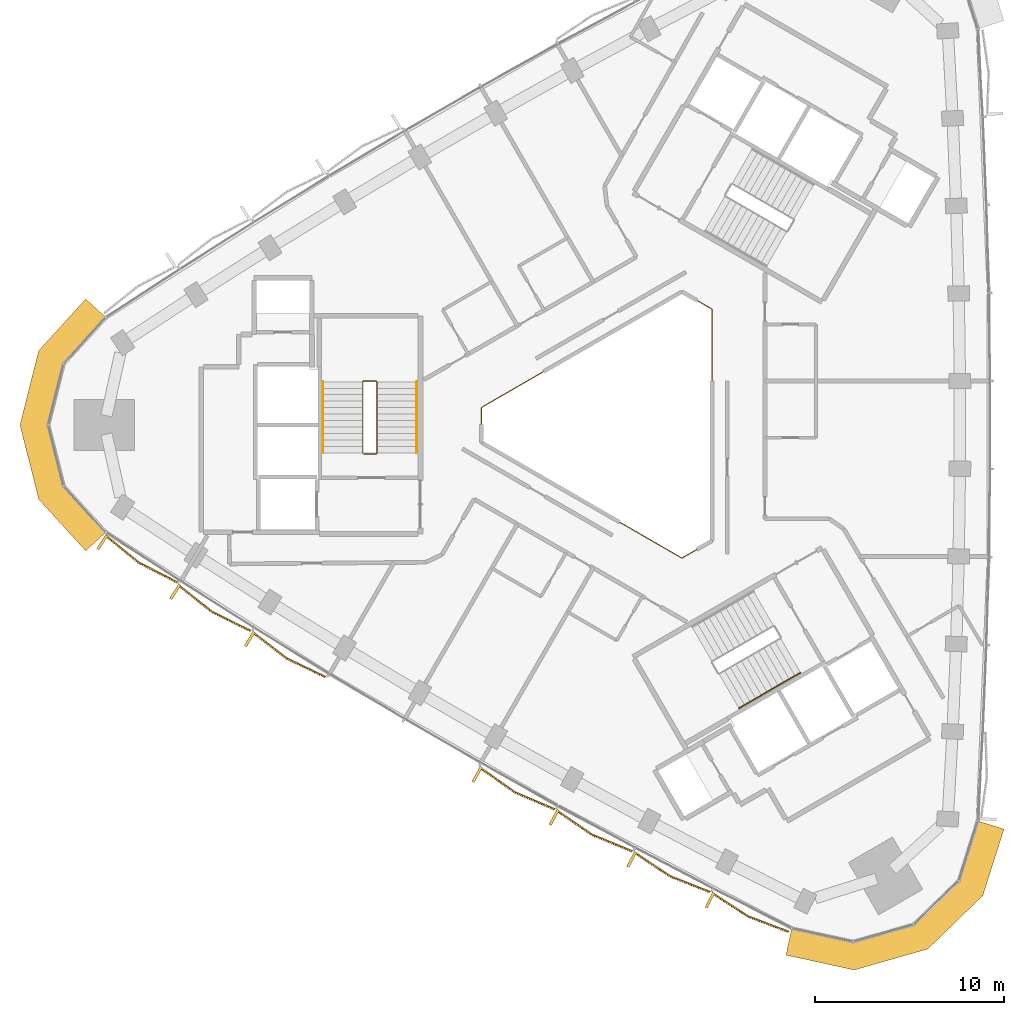
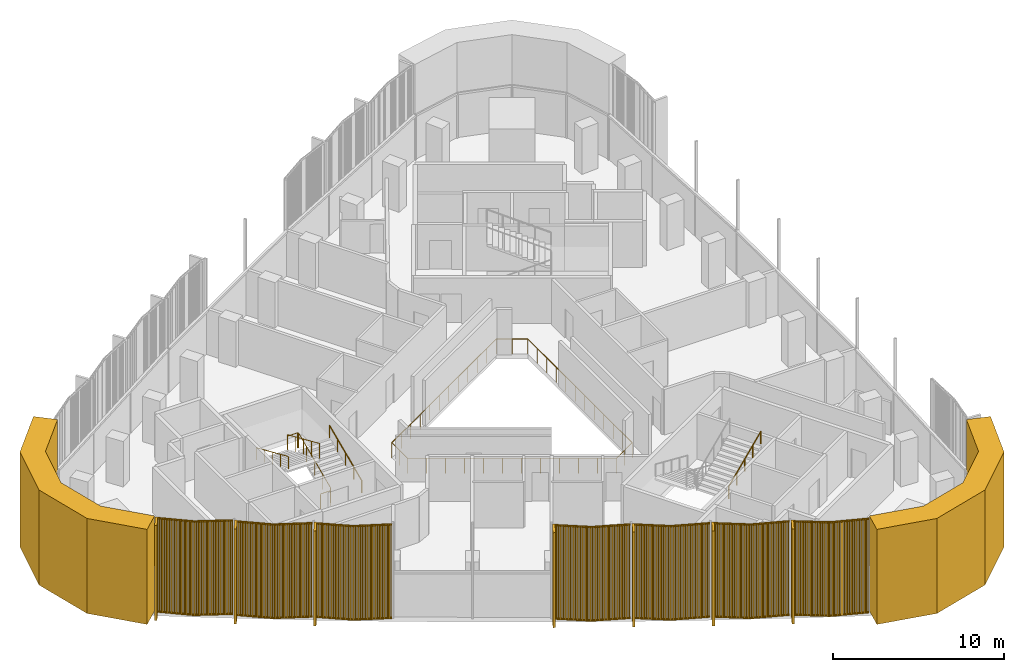
# One storey, part 11 of 13: 9 coverings, 5 railings.
"""IFC4 building model written with IfcOpenShell, lengths in metres."""

from ifc_helpers import new_model, si_unit, direction, frame, frame_2d, origin, origin_2d, place, context, subcontext, project, spatial, polyline, rectangle, circle, outline, extrude, source, transform, mapped, material, layer, layer_set, type_object, element, save


model = new_model("IFC4")

# Units and contexts
model_context = context("Model", 3, precision=1e-05, world=origin(), true_north=direction((0.0, 1.0)))
body_context = subcontext(model_context, "Body", "Model", "MODEL_VIEW")
ifc_project = project(units=[si_unit("LENGTHUNIT", "METRE"), si_unit("AREAUNIT", "SQUARE_METRE"), si_unit("VOLUMEUNIT", "CUBIC_METRE"), si_unit("PLANEANGLEUNIT", "RADIAN"), si_unit("MASSUNIT", "GRAM", prefix="KILO")], contexts=[model_context])

# Site, building, storey
site_placement = place(None, origin())
site = spatial("IfcSite", under=ifc_project, at=site_placement, CompositionType="ELEMENT")
building_placement = place(site_placement, origin())
building = spatial("IfcBuilding", under=site, at=building_placement, Name="Tamra Quay Hotel Tower", CompositionType="ELEMENT")
storey_placement = place(building_placement, frame((0.0, 0.0, 204.39990234375)))
storey = spatial("IfcBuildingStorey", under=building, at=storey_placement, Name="L51", CompositionType="ELEMENT", Elevation=204.39990234375)

# Coverings
ifc_material_1 = material(Name="Precast concrete M60 terracotta-coloured", Category="masonry")
ifc_layer = layer(ifc_material_1, 1.449951171875)
ifc_layer_set = layer_set([ifc_layer], Name="CORNER PIER PANEL")
covering_type_1 = type_object("IfcCoveringType", Name="CORNER PIER PANEL", PredefinedType="CLADDING", material=ifc_layer_set)
covering_1_placement = place(storey_placement, origin())
element("IfcCovering", 1, at=covering_1_placement, inside=storey, type_object=covering_type_1, Name="Corner pier L51.north-west", PredefinedType="CLADDING", context=body_context, shape_type="SweptSolid", body=[
    extrude(outline(polyline([(-27.48046875, 5.68701171875), (-28.55224609375, 6.663818359375), (-31.038818359375, 3.934326171875), (-32.028076171875, 0.0), (-31.038818359375, -3.934326171875), (-28.55224609375, -6.663818359375), (-27.48046875, -5.68701171875), (-29.7216796875, -3.227294921875), (-30.532958984375, 0.0), (-29.7216796875, 3.227294921875), (-27.48046875, 5.68701171875)])), origin(), (0.0, 0.0, 1.0), 6.800048828125),
])
covering_2_placement = place(storey_placement, origin())
element("IfcCovering", 2, at=covering_2_placement, inside=storey, type_object=covering_type_1, Name="Corner pier L51.south-west", PredefinedType="CLADDING", context=body_context, shape_type="SweptSolid", body=[
    extrude(outline(polyline([(8.81494140625, -26.642333984375), (8.505126953125, -28.058837890625), (12.1123046875, -28.84765625), (16.013916015625, -27.737060546875), (18.9267578125, -24.913330078125), (20.047119140625, -21.39501953125), (18.665283203125, -20.955078125), (17.65576171875, -24.1259765625), (15.2666015625, -26.4423828125), (12.06591796875, -27.353271484375), (8.81494140625, -26.642333984375)])), origin(), (0.0, 0.0, 1.0), 6.800048828125),
])

# Railings
ifc_material_2 = material(Name="Guard atrium edge 1100")
railing_type_1 = type_object("IfcRailingType", Name="Guard atrium edge 1100", PredefinedType="GUARDRAIL", material=ifc_material_2)
railing_1_placement = place(storey_placement, frame((4.60009765625, -6.1201171875, 0.0)))
element("IfcRailing", 3, at=railing_1_placement, inside=storey, type_object=railing_type_1, Name="G-A", PredefinedType="GUARDRAIL", context=body_context, shape_type="SweptSolid", body=[
    extrude(circle(Radius=0.02392578125, at=origin_2d()), frame((0.0, 0.0, 1.076171875), z_axis=(-0.86602275259, -0.500004591975, 0.0), x_axis=(0.500004591975, -0.86602275259, 0.0)), (0.0, 0.0, 1.0), 1.84765625),
    extrude(circle(Radius=0.02392578125, at=origin_2d()), frame((-1.60009765625, -0.923828125, 1.076171875), z_axis=(-0.866028806638, 0.499994106039, 0.0), x_axis=(-0.499994106039, -0.866028806638, 0.0)), (0.0, 0.0, 1.0), 12.239990234375),
    extrude(circle(Radius=0.02392578125, at=origin_2d()), frame((-12.2001953125, 5.196044921875, 1.076171875), z_axis=(0.0, 1.0, 0.0), x_axis=(-1.0, 0.0, 0.0)), (0.0, 0.0, 1.0), 1.84814453125),
    extrude(circle(Radius=0.02392578125, at=origin_2d()), frame((-12.2001953125, 7.044189453125, 1.076171875), z_axis=(0.866028806638, 0.499994106039, 0.0), x_axis=(-0.499994106039, 0.866028806638, 0.0)), (0.0, 0.0, 1.0), 12.239990234375),
    extrude(circle(Radius=0.02392578125, at=origin_2d()), frame((-1.60009765625, 13.1640625, 1.076171875), z_axis=(0.86602275259, -0.500004591975, 0.0), x_axis=(0.500004591975, 0.86602275259, 0.0)), (0.0, 0.0, 1.0), 1.84765625),
    extrude(circle(Radius=0.02392578125, at=origin_2d()), frame((0.0, 12.240234375, 1.076171875), z_axis=(0.0, -1.0, 0.0), x_axis=(1.0, 0.0, 0.0)), (0.0, 0.0, 1.0), 12.240234375),
    extrude(circle(Radius=0.02099609375, at=origin_2d()), origin(), (0.0, 0.0, 1.0), 1.052001953125),
    extrude(circle(Radius=0.02099609375, at=origin_2d()), frame((-0.800048828125, -0.4619140625, 0.0)), (0.0, 0.0, 1.0), 1.052001953125),
    extrude(circle(Radius=0.02099609375, at=origin_2d()), frame((-1.60009765625, -0.923828125, 0.0)), (0.0, 0.0, 1.0), 1.052001953125),
    extrude(circle(Radius=0.02099609375, at=origin_2d()), frame((-2.563720703125, -0.367431640625, 0.0)), (0.0, 0.0, 1.0), 1.052001953125),
    extrude(circle(Radius=0.02099609375, at=origin_2d()), frame((-3.52734375, 0.18896484375, 0.0)), (0.0, 0.0, 1.0), 1.052001953125),
    extrude(circle(Radius=0.02099609375, at=origin_2d()), frame((-4.490966796875, 0.7451171875, 0.0)), (0.0, 0.0, 1.0), 1.052001953125),
    extrude(circle(Radius=0.02099609375, at=origin_2d()), frame((-5.45458984375, 1.301513671875, 0.0)), (0.0, 0.0, 1.0), 1.052001953125),
    extrude(circle(Radius=0.02099609375, at=origin_2d()), frame((-6.418212890625, 1.85791015625, 0.0)), (0.0, 0.0, 1.0), 1.052001953125),
    extrude(circle(Radius=0.02099609375, at=origin_2d()), frame((-7.382080078125, 2.414306640625, 0.0)), (0.0, 0.0, 1.0), 1.052001953125),
    extrude(circle(Radius=0.02099609375, at=origin_2d()), frame((-8.345703125, 2.970703125, 0.0)), (0.0, 0.0, 1.0), 1.052001953125),
    extrude(circle(Radius=0.02099609375, at=origin_2d()), frame((-9.309326171875, 3.527099609375, 0.0)), (0.0, 0.0, 1.0), 1.052001953125),
    extrude(circle(Radius=0.02099609375, at=origin_2d()), frame((-10.27294921875, 4.083251953125, 0.0)), (0.0, 0.0, 1.0), 1.052001953125),
    extrude(circle(Radius=0.02099609375, at=origin_2d()), frame((-11.236572265625, 4.6396484375, 0.0)), (0.0, 0.0, 1.0), 1.052001953125),
    extrude(circle(Radius=0.02099609375, at=origin_2d()), frame((-12.2001953125, 5.196044921875, 0.0)), (0.0, 0.0, 1.0), 1.052001953125),
    extrude(circle(Radius=0.02099609375, at=origin_2d()), frame((-12.2001953125, 6.1201171875, 0.0)), (0.0, 0.0, 1.0), 1.052001953125),
    extrude(circle(Radius=0.02099609375, at=origin_2d()), frame((-12.2001953125, 7.044189453125, 0.0)), (0.0, 0.0, 1.0), 1.052001953125),
    extrude(circle(Radius=0.02099609375, at=origin_2d()), frame((-11.236572265625, 7.6005859375, 0.0)), (0.0, 0.0, 1.0), 1.052001953125),
    extrude(circle(Radius=0.02099609375, at=origin_2d()), frame((-10.27294921875, 8.156982421875, 0.0)), (0.0, 0.0, 1.0), 1.052001953125),
    extrude(circle(Radius=0.02099609375, at=origin_2d()), frame((-9.309326171875, 8.713134765625, 0.0)), (0.0, 0.0, 1.0), 1.052001953125),
    extrude(circle(Radius=0.02099609375, at=origin_2d()), frame((-8.345703125, 9.26953125, 0.0)), (0.0, 0.0, 1.0), 1.052001953125),
    extrude(circle(Radius=0.02099609375, at=origin_2d()), frame((-7.382080078125, 9.825927734375, 0.0)), (0.0, 0.0, 1.0), 1.052001953125),
    extrude(circle(Radius=0.02099609375, at=origin_2d()), frame((-6.418212890625, 10.38232421875, 0.0)), (0.0, 0.0, 1.0), 1.052001953125),
    extrude(circle(Radius=0.02099609375, at=origin_2d()), frame((-5.45458984375, 10.938720703125, 0.0)), (0.0, 0.0, 1.0), 1.052001953125),
    extrude(circle(Radius=0.02099609375, at=origin_2d()), frame((-4.490966796875, 11.4951171875, 0.0)), (0.0, 0.0, 1.0), 1.052001953125),
    extrude(circle(Radius=0.02099609375, at=origin_2d()), frame((-3.52734375, 12.05126953125, 0.0)), (0.0, 0.0, 1.0), 1.052001953125),
    extrude(circle(Radius=0.02099609375, at=origin_2d()), frame((-2.563720703125, 12.607666015625, 0.0)), (0.0, 0.0, 1.0), 1.052001953125),
    extrude(circle(Radius=0.02099609375, at=origin_2d()), frame((-1.60009765625, 13.1640625, 0.0)), (0.0, 0.0, 1.0), 1.052001953125),
    extrude(circle(Radius=0.02099609375, at=origin_2d()), frame((-0.800048828125, 12.7021484375, 0.0)), (0.0, 0.0, 1.0), 1.052001953125),
    extrude(circle(Radius=0.02099609375, at=origin_2d()), frame((0.0, 12.240234375, 0.0)), (0.0, 0.0, 1.0), 1.052001953125),
    extrude(circle(Radius=0.02099609375, at=origin_2d()), frame((0.0, 11.12744140625, 0.0)), (0.0, 0.0, 1.0), 1.052001953125),
    extrude(circle(Radius=0.02099609375, at=origin_2d()), frame((0.0, 10.0146484375, 0.0)), (0.0, 0.0, 1.0), 1.052001953125),
    extrude(circle(Radius=0.02099609375, at=origin_2d()), frame((0.0, 8.902099609375, 0.0)), (0.0, 0.0, 1.0), 1.052001953125),
    extrude(circle(Radius=0.02099609375, at=origin_2d()), frame((0.0, 7.789306640625, 0.0)), (0.0, 0.0, 1.0), 1.052001953125),
    extrude(circle(Radius=0.02099609375, at=origin_2d()), frame((0.0, 6.676513671875, 0.0)), (0.0, 0.0, 1.0), 1.052001953125),
    extrude(circle(Radius=0.02099609375, at=origin_2d()), frame((0.0, 5.563720703125, 0.0)), (0.0, 0.0, 1.0), 1.052001953125),
    extrude(circle(Radius=0.02099609375, at=origin_2d()), frame((0.0, 4.450927734375, 0.0)), (0.0, 0.0, 1.0), 1.052001953125),
    extrude(circle(Radius=0.02099609375, at=origin_2d()), frame((0.0, 3.338134765625, 0.0)), (0.0, 0.0, 1.0), 1.052001953125),
    extrude(circle(Radius=0.02099609375, at=origin_2d()), frame((0.0, 2.2255859375, 0.0)), (0.0, 0.0, 1.0), 1.052001953125),
    extrude(circle(Radius=0.02099609375, at=origin_2d()), frame((0.0, 1.11279296875, 0.0)), (0.0, 0.0, 1.0), 1.052001953125),
])
ifc_material_3 = material(Name="Stair guard 1100")
railing_type_2 = type_object("IfcRailingType", Name="Stair guard 1100", PredefinedType="GUARDRAIL", material=ifc_material_3)
railing_2_placement = place(storey_placement, frame((-13.84130859375, -1.530029296875, 0.0)))
element("IfcRailing", 4, at=railing_2_placement, inside=storey, type_object=railing_type_2, Name="GR", PredefinedType="GUARDRAIL", context=body_context, shape_type="SweptSolid", body=[
    extrude(circle(Radius=0.02392578125, at=origin_2d()), frame((0.0, 0.0, 1.076171875), z_axis=(1.0, 0.0, 0.0), x_axis=(0.0, 1.0, 0.0)), (0.0, 0.0, 1.0), 0.658935546875),
    extrude(circle(Radius=0.02392578125, at=origin_2d()), frame((0.658935546875, 0.0, 1.076171875), z_axis=(0.301511344578, 0.301511344578, 0.904534033733), x_axis=(-0.707106781187, 0.707106781187, 0.0)), (0.0, 0.0, 1.0), 0.166015625),
    extrude(circle(Radius=0.02392578125, at=origin_2d()), frame((0.708984375, 0.050048828125, 1.22607421875), z_axis=(0.0, 0.915795495799, 0.401644880304), x_axis=(-1.0, 0.0, 0.0)), (0.0, 0.0, 1.0), 4.10791015625),
    extrude(circle(Radius=0.02392578125, at=origin_2d()), frame((0.708984375, 3.81201171875, 2.8759765625), z_axis=(-0.708833529934, 0.705375805398, 0.0), x_axis=(-0.705375805398, -0.708833529934, 0.0)), (0.0, 0.0, 1.0), 0.070556640625),
    extrude(circle(Radius=0.02392578125, at=origin_2d()), frame((0.658935546875, 3.86181640625, 2.8759765625), z_axis=(-1.0, 0.0, 0.0), x_axis=(0.0, -1.0, 0.0)), (0.0, 0.0, 1.0), 0.658935546875),
    extrude(circle(Radius=0.02392578125, at=origin_2d()), frame((0.0, 3.86181640625, 2.8759765625), z_axis=(-0.301644814947, -0.300173376825, 0.904934444842), x_axis=(0.705375805398, -0.708833529934, 0.0)), (0.0, 0.0, 1.0), 0.166015625),
    extrude(circle(Radius=0.02392578125, at=origin_2d()), frame((-0.050048828125, 3.81201171875, 3.0263671875), z_axis=(0.0, -0.915795495799, 0.401644880304), x_axis=(1.0, 0.0, 0.0)), (0.0, 0.0, 1.0), 4.10791015625),
    extrude(circle(Radius=0.02099609375, at=origin_2d()), origin(), (0.0, 0.0, 1.0), 1.052001953125),
    extrude(circle(Radius=0.02099609375, at=origin_2d()), frame((0.658935546875, 0.0, 0.0)), (0.0, 0.0, 1.0), 1.052001953125),
    extrude(circle(Radius=0.02099609375, at=origin_2d()), frame((0.708984375, 0.050048828125, 0.150146484375)), (0.0, 0.0, 1.0), 1.052001953125),
    extrude(circle(Radius=0.02099609375, at=origin_2d()), frame((0.708984375, 0.990478515625, 0.5625)), (0.0, 0.0, 1.0), 1.052001953125),
    extrude(circle(Radius=0.02099609375, at=origin_2d()), frame((0.708984375, 1.93115234375, 0.97509765625)), (0.0, 0.0, 1.0), 1.052001953125),
    extrude(circle(Radius=0.02099609375, at=origin_2d()), frame((0.708984375, 2.87158203125, 1.3876953125)), (0.0, 0.0, 1.0), 1.052001953125),
    extrude(circle(Radius=0.02099609375, at=origin_2d()), frame((0.708984375, 3.81201171875, 1.800048828125)), (0.0, 0.0, 1.0), 1.052001953125),
    extrude(circle(Radius=0.02099609375, at=origin_2d()), frame((0.658935546875, 3.86181640625, 1.800048828125)), (0.0, 0.0, 1.0), 1.052001953125),
    extrude(circle(Radius=0.02099609375, at=origin_2d()), frame((0.0, 3.86181640625, 1.800048828125)), (0.0, 0.0, 1.0), 1.052001953125),
    extrude(circle(Radius=0.02099609375, at=origin_2d()), frame((-0.050048828125, 3.81201171875, 1.9501953125)), (0.0, 0.0, 1.0), 1.052001953125),
    extrude(circle(Radius=0.02099609375, at=origin_2d()), frame((-0.050048828125, 2.87158203125, 2.36279296875)), (0.0, 0.0, 1.0), 1.052001953125),
    extrude(circle(Radius=0.02099609375, at=origin_2d()), frame((-0.050048828125, 1.93115234375, 2.775146484375)), (0.0, 0.0, 1.0), 1.052001953125),
    extrude(circle(Radius=0.02099609375, at=origin_2d()), frame((-0.050048828125, 0.990478515625, 3.1875)), (0.0, 0.0, 1.0), 1.052001953125),
    extrude(circle(Radius=0.02099609375, at=origin_2d()), frame((-0.050048828125, 0.050048828125, 3.60009765625)), (0.0, 0.0, 1.0), 1.052001953125),
])
ifc_material_4 = material(Name="Stair handrail 900")
railing_type_3 = type_object("IfcRailingType", Name="Stair handrail 900", PredefinedType="HANDRAIL", material=ifc_material_4)
railing_3_placement = place(storey_placement, frame((-11.0322265625, -1.47998046875, 0.150146484375)))
element("IfcRailing", 5, at=railing_3_placement, inside=storey, type_object=railing_type_3, Name="HR", PredefinedType="HANDRAIL", context=body_context, shape_type="SweptSolid", body=[
    extrude(circle(Radius=0.02392578125, at=origin_2d()), frame((0.0, 0.0, 0.8759765625), z_axis=(0.0, 0.915795495799, 0.401644880304), x_axis=(-1.0, 0.0, 0.0)), (0.0, 0.0, 1.0), 4.10791015625),
    extrude(circle(Radius=0.02099609375, at=origin_2d()), origin(), (0.0, 0.0, 1.0), 0.851806640625),
    extrude(circle(Radius=0.02099609375, at=origin_2d()), frame((0.0, 0.9404296875, 0.41259765625)), (0.0, 0.0, 1.0), 0.851806640625),
    extrude(circle(Radius=0.02099609375, at=origin_2d()), frame((0.0, 1.880859375, 0.824951171875)), (0.0, 0.0, 1.0), 0.851806640625),
    extrude(circle(Radius=0.02099609375, at=origin_2d()), frame((0.0, 2.821533203125, 1.2373046875)), (0.0, 0.0, 1.0), 0.851806640625),
    extrude(circle(Radius=0.02099609375, at=origin_2d()), frame((0.0, 3.761962890625, 1.64990234375)), (0.0, 0.0, 1.0), 0.851806640625),
])
railing_4_placement = place(storey_placement, frame((-15.9912109375, 2.281982421875, 1.9501953125)))
element("IfcRailing", 6, at=railing_4_placement, inside=storey, type_object=railing_type_3, Name="HR", PredefinedType="HANDRAIL", context=body_context, shape_type="SweptSolid", body=[
    extrude(circle(Radius=0.02392578125, at=origin_2d()), frame((0.0, 0.0, 0.8759765625), z_axis=(0.0, -0.915795495799, 0.401644880304), x_axis=(1.0, 0.0, 0.0)), (0.0, 0.0, 1.0), 4.10791015625),
    extrude(circle(Radius=0.02099609375, at=origin_2d()), origin(), (0.0, 0.0, 1.0), 0.851806640625),
    extrude(circle(Radius=0.02099609375, at=origin_2d()), frame((0.0, -0.9404296875, 0.41259765625)), (0.0, 0.0, 1.0), 0.851806640625),
    extrude(circle(Radius=0.02099609375, at=origin_2d()), frame((0.0, -1.880859375, 0.824951171875)), (0.0, 0.0, 1.0), 0.851806640625),
    extrude(circle(Radius=0.02099609375, at=origin_2d()), frame((0.0, -2.821533203125, 1.2373046875)), (0.0, 0.0, 1.0), 0.851806640625),
    extrude(circle(Radius=0.02099609375, at=origin_2d()), frame((0.0, -3.761962890625, 1.64990234375)), (0.0, 0.0, 1.0), 0.851806640625),
])
railing_5_placement = place(storey_placement, frame((6.01953125, -14.98974609375, 1.9501953125)))
element("IfcRailing", 7, at=railing_5_placement, inside=storey, type_object=railing_type_3, Name="HR", PredefinedType="HANDRAIL", context=body_context, shape_type="SweptSolid", body=[
    extrude(circle(Radius=0.02392578125, at=origin_2d()), frame((0.0, 0.0, 0.8759765625), z_axis=(0.79310004713, 0.457886897714, 0.401661429744), x_axis=(-0.499992114976, 0.866029956157, 0.0)), (0.0, 0.0, 1.0), 4.107666015625),
    extrude(circle(Radius=0.02099609375, at=origin_2d()), origin(), (0.0, 0.0, 1.0), 0.851806640625),
    extrude(circle(Radius=0.02099609375, at=origin_2d()), frame((0.814453125, 0.47021484375, 0.41259765625)), (0.0, 0.0, 1.0), 0.851806640625),
    extrude(circle(Radius=0.02099609375, at=origin_2d()), frame((1.62890625, 0.9404296875, 0.824951171875)), (0.0, 0.0, 1.0), 0.851806640625),
    extrude(circle(Radius=0.02099609375, at=origin_2d()), frame((2.443359375, 1.41064453125, 1.2373046875)), (0.0, 0.0, 1.0), 0.851806640625),
    extrude(circle(Radius=0.02099609375, at=origin_2d()), frame((3.2578125, 1.880859375, 1.64990234375)), (0.0, 0.0, 1.0), 0.851806640625),
])

# Coverings
ifc_material_5 = material(Name="Terracotta baguette extruded", Category="masonry")
covering_type_2 = type_object("IfcCoveringType", Name="BAGUETTE SCREEN SW-V H6800", PredefinedType="USERDEFINED", material=ifc_material_5)
shared_shape = source(origin(), body_context, "Body", "SweptSolid", [
    extrude(rectangle(XDim=2.295166015625, YDim=0.06005859375, at=frame_2d((1.1474609375, 0.030029296875))), frame((-2.288818359375, -0.0576171875, -0.1201171875), z_axis=(0.0, 0.0, 1.0), x_axis=(0.994521895368, -0.104528463268, 0.0)), (0.0, 0.0, 1.0), 0.1201171875),
    extrude(rectangle(XDim=2.295166015625, YDim=0.06005859375, at=frame_2d((1.1474609375, 0.030029296875))), frame((-2.288818359375, -0.0576171875, -6.800048828125), z_axis=(0.0, 0.0, 1.0), x_axis=(0.994521895368, -0.104528463268, 0.0)), (0.0, 0.0, 1.0), 0.1201171875),
    extrude(rectangle(XDim=0.070068359375, YDim=0.10009765625, at=frame_2d((0.03515625, 0.050048828125))), frame((-2.267822265625, -0.13330078125, -6.739990234375)), (0.0, 0.0, 1.0), 6.679931640625),
    extrude(rectangle(XDim=0.070068359375, YDim=0.10009765625, at=frame_2d((0.03515625, 0.050048828125))), frame((-2.168701171875, -0.1435546875, -6.739990234375)), (0.0, 0.0, 1.0), 6.679931640625),
    extrude(rectangle(XDim=0.070068359375, YDim=0.10009765625, at=frame_2d((0.03515625, 0.050048828125))), frame((-2.0693359375, -0.154052734375, -6.739990234375)), (0.0, 0.0, 1.0), 6.679931640625),
    extrude(rectangle(XDim=0.070068359375, YDim=0.10009765625, at=frame_2d((0.03515625, 0.050048828125))), frame((-1.97021484375, -0.16455078125, -6.739990234375)), (0.0, 0.0, 1.0), 6.679931640625),
    extrude(rectangle(XDim=0.070068359375, YDim=0.10009765625, at=frame_2d((0.03515625, 0.050048828125))), frame((-1.870849609375, -0.175048828125, -6.739990234375)), (0.0, 0.0, 1.0), 6.679931640625),
    extrude(rectangle(XDim=0.070068359375, YDim=0.10009765625, at=frame_2d((0.03515625, 0.050048828125))), frame((-1.771728515625, -0.185302734375, -6.739990234375)), (0.0, 0.0, 1.0), 6.679931640625),
    extrude(rectangle(XDim=0.070068359375, YDim=0.10009765625, at=frame_2d((0.03515625, 0.050048828125))), frame((-1.67236328125, -0.19580078125, -6.739990234375)), (0.0, 0.0, 1.0), 6.679931640625),
    extrude(rectangle(XDim=0.070068359375, YDim=0.10009765625, at=frame_2d((0.03515625, 0.050048828125))), frame((-1.5732421875, -0.206298828125, -6.739990234375)), (0.0, 0.0, 1.0), 6.679931640625),
    extrude(rectangle(XDim=0.070068359375, YDim=0.10009765625, at=frame_2d((0.03515625, 0.050048828125))), frame((-1.473876953125, -0.216552734375, -6.739990234375)), (0.0, 0.0, 1.0), 6.679931640625),
    extrude(rectangle(XDim=0.070068359375, YDim=0.10009765625, at=frame_2d((0.03515625, 0.050048828125))), frame((-1.374755859375, -0.22705078125, -6.739990234375)), (0.0, 0.0, 1.0), 6.679931640625),
    extrude(rectangle(XDim=0.070068359375, YDim=0.10009765625, at=frame_2d((0.03515625, 0.050048828125))), frame((-1.275390625, -0.237548828125, -6.739990234375)), (0.0, 0.0, 1.0), 6.679931640625),
    extrude(rectangle(XDim=0.070068359375, YDim=0.10009765625, at=frame_2d((0.03515625, 0.050048828125))), frame((-1.17626953125, -0.248046875, -6.739990234375)), (0.0, 0.0, 1.0), 6.679931640625),
    extrude(rectangle(XDim=0.070068359375, YDim=0.10009765625, at=frame_2d((0.03515625, 0.050048828125))), frame((-1.076904296875, -0.25830078125, -6.739990234375)), (0.0, 0.0, 1.0), 6.679931640625),
    extrude(rectangle(XDim=0.070068359375, YDim=0.10009765625, at=frame_2d((0.03515625, 0.050048828125))), frame((-0.977783203125, -0.268798828125, -6.739990234375)), (0.0, 0.0, 1.0), 6.679931640625),
    extrude(rectangle(XDim=0.070068359375, YDim=0.10009765625, at=frame_2d((0.03515625, 0.050048828125))), frame((-0.87841796875, -0.279296875, -6.739990234375)), (0.0, 0.0, 1.0), 6.679931640625),
    extrude(rectangle(XDim=0.070068359375, YDim=0.10009765625, at=frame_2d((0.03515625, 0.050048828125))), frame((-0.779296875, -0.28955078125, -6.739990234375)), (0.0, 0.0, 1.0), 6.679931640625),
    extrude(rectangle(XDim=0.070068359375, YDim=0.10009765625, at=frame_2d((0.03515625, 0.050048828125))), frame((-0.679931640625, -0.300048828125, -6.739990234375)), (0.0, 0.0, 1.0), 6.679931640625),
    extrude(rectangle(XDim=0.070068359375, YDim=0.10009765625, at=frame_2d((0.03515625, 0.050048828125))), frame((-0.580810546875, -0.310546875, -6.739990234375)), (0.0, 0.0, 1.0), 6.679931640625),
    extrude(rectangle(XDim=0.070068359375, YDim=0.10009765625, at=frame_2d((0.03515625, 0.050048828125))), frame((-0.481689453125, -0.321044921875, -6.739990234375)), (0.0, 0.0, 1.0), 6.679931640625),
    extrude(rectangle(XDim=0.070068359375, YDim=0.10009765625, at=frame_2d((0.03515625, 0.050048828125))), frame((-0.38232421875, -0.331298828125, -6.739990234375)), (0.0, 0.0, 1.0), 6.679931640625),
    extrude(rectangle(XDim=0.070068359375, YDim=0.10009765625, at=frame_2d((0.03515625, 0.050048828125))), frame((-0.283203125, -0.341796875, -6.739990234375)), (0.0, 0.0, 1.0), 6.679931640625),
    extrude(rectangle(XDim=0.070068359375, YDim=0.10009765625, at=frame_2d((0.03515625, 0.050048828125))), frame((-0.183837890625, -0.352294921875, -6.739990234375)), (0.0, 0.0, 1.0), 6.679931640625),
    extrude(rectangle(XDim=0.070068359375, YDim=0.10009765625, at=frame_2d((0.03515625, 0.050048828125))), frame((-0.084716796875, -0.36279296875, -6.739990234375)), (0.0, 0.0, 1.0), 6.679931640625),
    extrude(rectangle(XDim=2.295166015625, YDim=0.06005859375, at=frame_2d((1.1474609375, 0.030029296875))), frame((0.00634765625, -0.297607421875, -0.1201171875), z_axis=(0.0, 0.0, 1.0), x_axis=(0.994521895368, 0.104528463268, 0.0)), (0.0, 0.0, 1.0), 0.1201171875),
    extrude(rectangle(XDim=2.295166015625, YDim=0.06005859375, at=frame_2d((1.1474609375, 0.030029296875))), frame((0.00634765625, -0.297607421875, -6.800048828125), z_axis=(0.0, 0.0, 1.0), x_axis=(0.994521895368, 0.104528463268, 0.0)), (0.0, 0.0, 1.0), 0.1201171875),
    extrude(rectangle(XDim=0.070068359375, YDim=0.10009765625, at=frame_2d((0.03515625, 0.050048828125))), frame((0.0146484375, -0.36279296875, -6.739990234375)), (0.0, 0.0, 1.0), 6.679931640625),
    extrude(rectangle(XDim=0.070068359375, YDim=0.10009765625, at=frame_2d((0.03515625, 0.050048828125))), frame((0.11376953125, -0.352294921875, -6.739990234375)), (0.0, 0.0, 1.0), 6.679931640625),
    extrude(rectangle(XDim=0.070068359375, YDim=0.10009765625, at=frame_2d((0.03515625, 0.050048828125))), frame((0.213134765625, -0.341796875, -6.739990234375)), (0.0, 0.0, 1.0), 6.679931640625),
    extrude(rectangle(XDim=0.070068359375, YDim=0.10009765625, at=frame_2d((0.03515625, 0.050048828125))), frame((0.312255859375, -0.331298828125, -6.739990234375)), (0.0, 0.0, 1.0), 6.679931640625),
    extrude(rectangle(XDim=0.070068359375, YDim=0.10009765625, at=frame_2d((0.03515625, 0.050048828125))), frame((0.41162109375, -0.321044921875, -6.739990234375)), (0.0, 0.0, 1.0), 6.679931640625),
    extrude(rectangle(XDim=0.070068359375, YDim=0.10009765625, at=frame_2d((0.03515625, 0.050048828125))), frame((0.5107421875, -0.310546875, -6.739990234375)), (0.0, 0.0, 1.0), 6.679931640625),
    extrude(rectangle(XDim=0.070068359375, YDim=0.10009765625, at=frame_2d((0.03515625, 0.050048828125))), frame((0.610107421875, -0.300048828125, -6.739990234375)), (0.0, 0.0, 1.0), 6.679931640625),
    extrude(rectangle(XDim=0.070068359375, YDim=0.10009765625, at=frame_2d((0.03515625, 0.050048828125))), frame((0.709228515625, -0.28955078125, -6.739990234375)), (0.0, 0.0, 1.0), 6.679931640625),
    extrude(rectangle(XDim=0.070068359375, YDim=0.10009765625, at=frame_2d((0.03515625, 0.050048828125))), frame((0.80859375, -0.279296875, -6.739990234375)), (0.0, 0.0, 1.0), 6.679931640625),
    extrude(rectangle(XDim=0.070068359375, YDim=0.10009765625, at=frame_2d((0.03515625, 0.050048828125))), frame((0.90771484375, -0.268798828125, -6.739990234375)), (0.0, 0.0, 1.0), 6.679931640625),
    extrude(rectangle(XDim=0.070068359375, YDim=0.10009765625, at=frame_2d((0.03515625, 0.050048828125))), frame((1.007080078125, -0.25830078125, -6.739990234375)), (0.0, 0.0, 1.0), 6.679931640625),
    extrude(rectangle(XDim=0.070068359375, YDim=0.10009765625, at=frame_2d((0.03515625, 0.050048828125))), frame((1.106201171875, -0.248046875, -6.739990234375)), (0.0, 0.0, 1.0), 6.679931640625),
    extrude(rectangle(XDim=0.070068359375, YDim=0.10009765625, at=frame_2d((0.03515625, 0.050048828125))), frame((1.20556640625, -0.237548828125, -6.739990234375)), (0.0, 0.0, 1.0), 6.679931640625),
    extrude(rectangle(XDim=0.070068359375, YDim=0.10009765625, at=frame_2d((0.03515625, 0.050048828125))), frame((1.3046875, -0.22705078125, -6.739990234375)), (0.0, 0.0, 1.0), 6.679931640625),
    extrude(rectangle(XDim=0.070068359375, YDim=0.10009765625, at=frame_2d((0.03515625, 0.050048828125))), frame((1.404052734375, -0.216552734375, -6.739990234375)), (0.0, 0.0, 1.0), 6.679931640625),
    extrude(rectangle(XDim=0.070068359375, YDim=0.10009765625, at=frame_2d((0.03515625, 0.050048828125))), frame((1.503173828125, -0.206298828125, -6.739990234375)), (0.0, 0.0, 1.0), 6.679931640625),
    extrude(rectangle(XDim=0.070068359375, YDim=0.10009765625, at=frame_2d((0.03515625, 0.050048828125))), frame((1.6025390625, -0.19580078125, -6.739990234375)), (0.0, 0.0, 1.0), 6.679931640625),
    extrude(rectangle(XDim=0.070068359375, YDim=0.10009765625, at=frame_2d((0.03515625, 0.050048828125))), frame((1.70166015625, -0.185302734375, -6.739990234375)), (0.0, 0.0, 1.0), 6.679931640625),
    extrude(rectangle(XDim=0.070068359375, YDim=0.10009765625, at=frame_2d((0.03515625, 0.050048828125))), frame((1.801025390625, -0.175048828125, -6.739990234375)), (0.0, 0.0, 1.0), 6.679931640625),
    extrude(rectangle(XDim=0.070068359375, YDim=0.10009765625, at=frame_2d((0.03515625, 0.050048828125))), frame((1.900146484375, -0.16455078125, -6.739990234375)), (0.0, 0.0, 1.0), 6.679931640625),
    extrude(rectangle(XDim=0.070068359375, YDim=0.10009765625, at=frame_2d((0.03515625, 0.050048828125))), frame((1.99951171875, -0.154052734375, -6.739990234375)), (0.0, 0.0, 1.0), 6.679931640625),
    extrude(rectangle(XDim=0.070068359375, YDim=0.10009765625, at=frame_2d((0.03515625, 0.050048828125))), frame((2.0986328125, -0.1435546875, -6.739990234375)), (0.0, 0.0, 1.0), 6.679931640625),
    extrude(rectangle(XDim=0.070068359375, YDim=0.10009765625, at=frame_2d((0.03515625, 0.050048828125))), frame((2.197998046875, -0.13330078125, -6.739990234375)), (0.0, 0.0, 1.0), 6.679931640625),
    extrude(rectangle(XDim=0.14990234375, YDim=0.902099609375, at=frame_2d((0.074951171875, 0.451171875))), frame((-2.282470703125, -0.89990234375, -6.800048828125)), (0.0, 0.0, 1.0), 6.800048828125),
])
for number, where, z_axis, x_axis, name in (
    (8, (-25.57861328125, -7.03564453125, 6.800048828125), (0.0, 0.0, 1.0), (0.836986092194, -0.54722416017, 0.0), "Baguette screen L51.SW.f00"),
    (9, (-21.708251953125, -9.63525390625, 6.800048828125), (0.0, 0.0, 1.0), (0.844475815543, -0.535593686448, 0.0), "Baguette screen L51.SW.f01"),
    (10, (-17.754150390625, -12.104736328125, 6.800048828125), (0.0, 0.0, 1.0), (0.851814958055, -0.523842798207, 0.0), "Baguette screen L51.SW.f02"),
    (11, (-5.69091796875, -19.181396484375, 6.800048828125), (0.0, 0.0, 1.0), (0.872884903026, -0.487926168665, 0.0), "Baguette screen L51.SW.f05"),
    (12, (-1.60595703125, -21.427734375, 6.800048828125), (0.0, 0.0, 1.0), (0.879568649865, -0.475771993896, 0.0), "Baguette screen L51.SW.f06"),
    (13, (2.509765625, -23.617431640625, 6.800048828125), (0.0, 0.0, 1.0), (0.886075646342, -0.463540665918, 0.0), "Baguette screen L51.SW.f07"),
    (14, (6.655517578125, -25.749755859375, 6.800048828125), (0.0, 0.0, 1.0), (0.892403070369, -0.451239138369, 0.0), "Baguette screen L51.SW.f08"),
):
    element("IfcCovering", number, at=place(storey_placement, frame(where, z_axis=z_axis, x_axis=x_axis)), inside=storey, type_object=covering_type_2, Name=name, ObjectType="BAGUETTE SCREEN", PredefinedType="USERDEFINED", context=body_context, shape_type="MappedRepresentation", body=[
        mapped(shared_shape, transform((0.0, 0.0, 0.0), scale=1.0)),
    ])

save(model, "model.ifc")
